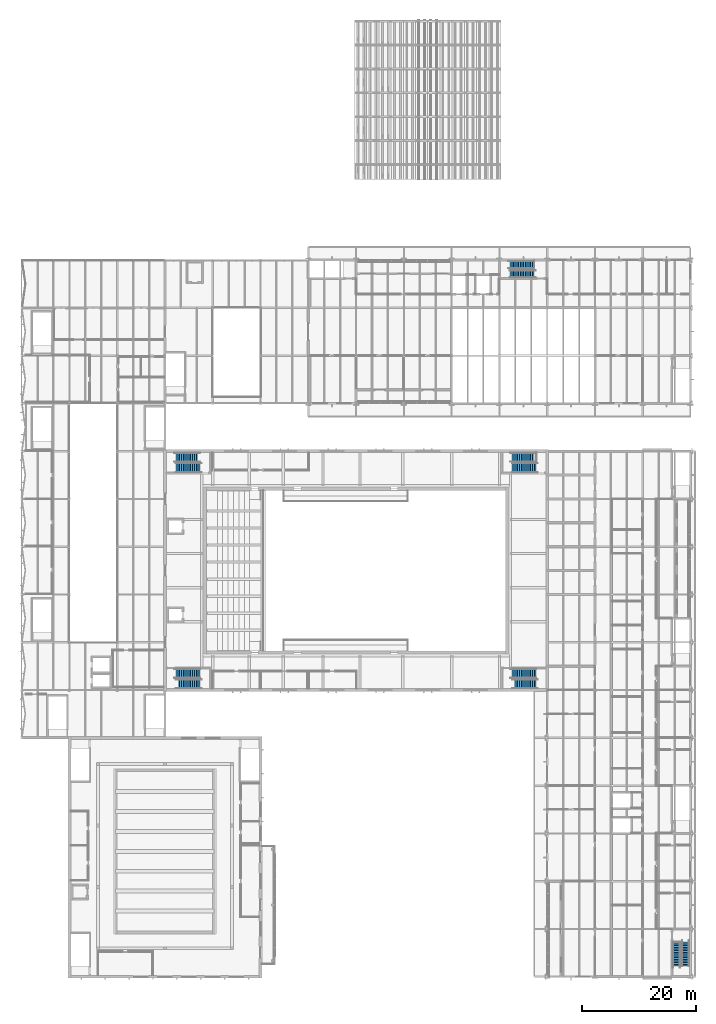
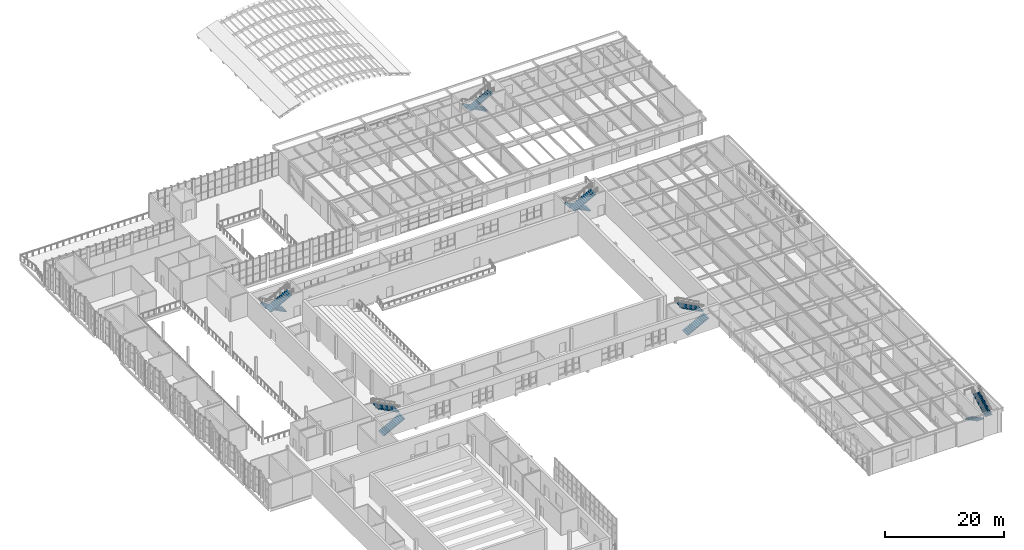
# One storey, part 82 of 116: 12 stair flights, 6 elements without a shape of their own.
"""IFC4 building model written with IfcOpenShell, lengths in metres."""

from ifc_helpers import new_model, si_unit, direction, frame, origin, place, context, subcontext, project, spatial, polyline, outline, extrude, material, type_object, element, aggregate, save


model = new_model("IFC4")

# Units and contexts
model_context = context("Model", 3, precision=1e-05, world=origin(), true_north=direction((0.0, 1.0)))
body_context = subcontext(model_context, "Body", "Model", "MODEL_VIEW")
ifc_project = project(units=[si_unit("LENGTHUNIT", "METRE"), si_unit("AREAUNIT", "SQUARE_METRE"), si_unit("VOLUMEUNIT", "CUBIC_METRE"), si_unit("PLANEANGLEUNIT", "RADIAN"), si_unit("MASSUNIT", "GRAM", prefix="KILO")], contexts=[model_context])

# Site, building, storey
site_placement = place(None, origin())
site = spatial("IfcSite", under=ifc_project, at=site_placement, CompositionType="ELEMENT")
building_placement = place(site_placement, origin())
building = spatial("IfcBuilding", under=site, at=building_placement, Name="Ljudholm Concert House", CompositionType="ELEMENT")
storey_placement = place(building_placement, frame((0.0, 0.0, 10.199951171875)))
storey = spatial("IfcBuildingStorey", under=building, at=storey_placement, Name="L02", CompositionType="ELEMENT", Elevation=10.199951171875)

# Stair, stair flights
ifc_material_1 = material(Name="Concrete 5,000 psi", Category="concrete")
stair_type_1 = type_object("IfcStairType", Name="RC STAIR 1350x160x300", PredefinedType="HALF_TURN_STAIR", material=ifc_material_1)
stair_1_placement = place(storey_placement, origin())
stair_1 = element("IfcStair", 1, at=stair_1_placement, inside=storey, type_object=stair_type_1, Name="Stair SB1", PredefinedType="HALF_TURN_STAIR")
ifc_material_2 = material(Name="Concrete 5,000 psi", Category="concrete")
stair_flight_type_1 = type_object("IfcStairFlightType", Name="RC STAIR FLIGHT 1350x160x300", PredefinedType="STRAIGHT", material=ifc_material_2)
stair_flight_1_placement = place(storey_placement, frame((119.125, 10.074951171875, 0.0), z_axis=(0.0, 0.0, 1.0), x_axis=(0.0, -1.0, 0.0)))
stair_flight_1 = element("IfcStairFlight", 2, at=stair_flight_1_placement, type_object=stair_flight_type_1, Name="ST-W02-001 flight 1", NumberOfRisers=15, NumberOfTreads=14, PredefinedType="STRAIGHT", RiserHeight=0.16, TreadLength=0.3, context=body_context, shape_type="SweptSolid", body=[
    extrude(outline(polyline([(0.0, 0.0), (0.0, 0.159912109375), (0.300048828125, 0.159912109375), (0.300048828125, 0.320068359375), (0.60009765625, 0.320068359375), (0.60009765625, 0.47998046875), (0.89990234375, 0.47998046875), (0.89990234375, 0.639892578125), (1.199951171875, 0.639892578125), (1.199951171875, 0.800048828125), (1.5, 0.800048828125), (1.5, 0.9599609375), (1.800048828125, 0.9599609375), (1.800048828125, 1.1201171875), (2.10009765625, 1.1201171875), (2.10009765625, 1.280029296875), (2.39990234375, 1.280029296875), (2.39990234375, 1.43994140625), (2.699951171875, 1.43994140625), (2.699951171875, 1.60009765625), (3.0, 1.60009765625), (3.0, 1.760009765625), (3.300048828125, 1.760009765625), (3.300048828125, 1.919921875), (3.60009765625, 1.919921875), (3.60009765625, 2.080078125), (3.89990234375, 2.080078125), (3.89990234375, 2.239990234375), (4.199951171875, 2.239990234375), (4.199951171875, 2.39990234375), (4.199951171875, 2.070068359375), (0.318603515625, 0.0), (0.0, 0.0)])), frame((0.0, 0.675048828125, 0.0), z_axis=(0.0, -1.0, 0.0), x_axis=(1.0, 0.0, 0.0)), (0.0, 0.0, 1.0), 1.35009765625),
])
stair_flight_2_placement = place(storey_placement, frame((120.72509765625, 5.875, 2.400146484375), z_axis=(0.0, 0.0, 1.0), x_axis=(0.0, 1.0, 0.0)))
stair_flight_2 = element("IfcStairFlight", 3, at=stair_flight_2_placement, type_object=stair_flight_type_1, Name="ST-W02-001 flight 2", NumberOfRisers=15, NumberOfTreads=14, PredefinedType="STRAIGHT", RiserHeight=0.16, TreadLength=0.3, context=body_context, shape_type="SweptSolid", body=[
    extrude(outline(polyline([(0.0, 0.0), (0.0, 0.159912109375), (0.300048828125, 0.159912109375), (0.300048828125, 0.320068359375), (0.60009765625, 0.320068359375), (0.60009765625, 0.47998046875), (0.89990234375, 0.47998046875), (0.89990234375, 0.639892578125), (1.199951171875, 0.639892578125), (1.199951171875, 0.800048828125), (1.5, 0.800048828125), (1.5, 0.9599609375), (1.800048828125, 0.9599609375), (1.800048828125, 1.1201171875), (2.10009765625, 1.1201171875), (2.10009765625, 1.280029296875), (2.39990234375, 1.280029296875), (2.39990234375, 1.43994140625), (2.699951171875, 1.43994140625), (2.699951171875, 1.60009765625), (3.0, 1.60009765625), (3.0, 1.760009765625), (3.300048828125, 1.760009765625), (3.300048828125, 1.919921875), (3.60009765625, 1.919921875), (3.60009765625, 2.080078125), (3.89990234375, 2.080078125), (3.89990234375, 2.239990234375), (4.199951171875, 2.239990234375), (4.199951171875, 2.39990234375), (4.199951171875, 2.070068359375), (0.318603515625, 0.0), (0.0, 0.0)])), frame((0.0, 0.675048828125, 0.0), z_axis=(0.0, -1.0, 0.0), x_axis=(1.0, 0.0, 0.0)), (0.0, 0.0, 1.0), 1.35009765625),
])
aggregate(stair_1, [stair_flight_1, stair_flight_2])

stair_2_placement = place(storey_placement, origin())
stair_2 = element("IfcStair", 4, at=stair_2_placement, inside=storey, type_object=stair_type_1, Name="Stair R2", PredefinedType="HALF_TURN_STAIR")
stair_flight_3_placement = place(storey_placement, frame((94.074951171875, 129.175048828125, 0.0), z_axis=(0.0, 0.0, 1.0), x_axis=(-1.0, 0.0, 0.0)))
stair_flight_3 = element("IfcStairFlight", 5, at=stair_flight_3_placement, type_object=stair_flight_type_1, Name="ST-R02-001 flight 1", NumberOfRisers=15, NumberOfTreads=14, PredefinedType="STRAIGHT", RiserHeight=0.16, TreadLength=0.3, context=body_context, shape_type="SweptSolid", body=[
    extrude(outline(polyline([(0.0, 0.0), (0.0, 0.159912109375), (0.300048828125, 0.159912109375), (0.300048828125, 0.320068359375), (0.60009765625, 0.320068359375), (0.60009765625, 0.47998046875), (0.89990234375, 0.47998046875), (0.89990234375, 0.639892578125), (1.199951171875, 0.639892578125), (1.199951171875, 0.800048828125), (1.5, 0.800048828125), (1.5, 0.9599609375), (1.800048828125, 0.9599609375), (1.800048828125, 1.1201171875), (2.10009765625, 1.1201171875), (2.10009765625, 1.280029296875), (2.39990234375, 1.280029296875), (2.39990234375, 1.43994140625), (2.699951171875, 1.43994140625), (2.699951171875, 1.60009765625), (3.0, 1.60009765625), (3.0, 1.760009765625), (3.300048828125, 1.760009765625), (3.300048828125, 1.919921875), (3.60009765625, 1.919921875), (3.60009765625, 2.080078125), (3.89990234375, 2.080078125), (3.89990234375, 2.239990234375), (4.199951171875, 2.239990234375), (4.199951171875, 2.39990234375), (4.199951171875, 2.070068359375), (0.318603515625, 0.0), (0.0, 0.0)])), frame((0.0, 0.675048828125, 0.0), z_axis=(0.0, -1.0, 0.0), x_axis=(1.0, 0.0, 0.0)), (0.0, 0.0, 1.0), 1.35009765625),
])
stair_flight_4_placement = place(storey_placement, frame((89.875, 127.574951171875, 2.400146484375), z_axis=(0.0, 0.0, 1.0), x_axis=(1.0, 0.0, 0.0)))
stair_flight_4 = element("IfcStairFlight", 6, at=stair_flight_4_placement, type_object=stair_flight_type_1, Name="ST-R02-001 flight 2", NumberOfRisers=15, NumberOfTreads=14, PredefinedType="STRAIGHT", RiserHeight=0.16, TreadLength=0.3, context=body_context, shape_type="SweptSolid", body=[
    extrude(outline(polyline([(0.0, 0.0), (0.0, 0.159912109375), (0.300048828125, 0.159912109375), (0.300048828125, 0.320068359375), (0.60009765625, 0.320068359375), (0.60009765625, 0.47998046875), (0.89990234375, 0.47998046875), (0.89990234375, 0.639892578125), (1.199951171875, 0.639892578125), (1.199951171875, 0.800048828125), (1.5, 0.800048828125), (1.5, 0.9599609375), (1.800048828125, 0.9599609375), (1.800048828125, 1.1201171875), (2.10009765625, 1.1201171875), (2.10009765625, 1.280029296875), (2.39990234375, 1.280029296875), (2.39990234375, 1.43994140625), (2.699951171875, 1.43994140625), (2.699951171875, 1.60009765625), (3.0, 1.60009765625), (3.0, 1.760009765625), (3.300048828125, 1.760009765625), (3.300048828125, 1.919921875), (3.60009765625, 1.919921875), (3.60009765625, 2.080078125), (3.89990234375, 2.080078125), (3.89990234375, 2.239990234375), (4.199951171875, 2.239990234375), (4.199951171875, 2.39990234375), (4.199951171875, 2.070068359375), (0.318603515625, 0.0), (0.0, 0.0)])), frame((0.0, 0.675048828125, 0.0), z_axis=(0.0, -1.0, 0.0), x_axis=(1.0, 0.0, 0.0)), (0.0, 0.0, 1.0), 1.35009765625),
])
aggregate(stair_2, [stair_flight_3, stair_flight_4])

ifc_material_3 = material(Name="Concrete 5,000 psi", Category="concrete")
stair_type_2 = type_object("IfcStairType", Name="RC STAIR 1700x171x323", PredefinedType="HALF_TURN_STAIR", material=ifc_material_3)
stair_3_placement = place(storey_placement, origin())
stair_3 = element("IfcStair", 7, at=stair_3_placement, inside=storey, type_object=stair_type_2, Name="Exit stair EH1", PredefinedType="HALF_TURN_STAIR")
ifc_material_4 = material(Name="Concrete 5,000 psi", Category="concrete")
stair_flight_type_2 = type_object("IfcStairFlightType", Name="RC STAIR FLIGHT 1700x171x323", PredefinedType="STRAIGHT", material=ifc_material_4)
stair_flight_5_placement = place(storey_placement, frame((31.14990234375, 55.5, 0.0), z_axis=(0.0, 0.0, 1.0), x_axis=(1.0, 0.0, 0.0)))
stair_flight_5 = element("IfcStairFlight", 8, at=stair_flight_5_placement, type_object=stair_flight_type_2, Name="ST-H02-001 flight 1", NumberOfRisers=14, NumberOfTreads=13, PredefinedType="STRAIGHT", RiserHeight=0.171428571, TreadLength=0.323076923, context=body_context, shape_type="SweptSolid", body=[
    extrude(outline(polyline([(0.0, 0.0), (0.0, 0.17138671875), (0.322998046875, 0.17138671875), (0.322998046875, 0.3427734375), (0.646240234375, 0.3427734375), (0.646240234375, 0.514404296875), (0.96923828125, 0.514404296875), (0.96923828125, 0.685791015625), (1.292236328125, 0.685791015625), (1.292236328125, 0.857177734375), (1.615478515625, 0.857177734375), (1.615478515625, 1.028564453125), (1.9384765625, 1.028564453125), (1.9384765625, 1.199951171875), (2.261474609375, 1.199951171875), (2.261474609375, 1.371337890625), (2.584716796875, 1.371337890625), (2.584716796875, 1.54296875), (2.90771484375, 1.54296875), (2.90771484375, 1.71435546875), (3.230712890625, 1.71435546875), (3.230712890625, 1.8857421875), (3.553955078125, 1.8857421875), (3.553955078125, 2.05712890625), (3.876953125, 2.05712890625), (3.876953125, 2.228515625), (4.199951171875, 2.228515625), (4.199951171875, 2.39990234375), (4.199951171875, 2.058837890625), (0.31982421875, 0.0), (0.0, 0.0)])), frame((0.0, 0.85009765625, 0.0), z_axis=(0.0, -1.0, 0.0), x_axis=(1.0, 0.0, 0.0)), (0.0, 0.0, 1.0), 1.699951171875),
])
stair_flight_6_placement = place(storey_placement, frame((35.35009765625, 57.300048828125, 2.400146484375), z_axis=(0.0, 0.0, 1.0), x_axis=(-1.0, 0.0, 0.0)))
stair_flight_6 = element("IfcStairFlight", 9, at=stair_flight_6_placement, type_object=stair_flight_type_2, Name="ST-H02-001 flight 2", NumberOfRisers=14, NumberOfTreads=13, PredefinedType="STRAIGHT", RiserHeight=0.171428571, TreadLength=0.323076923, context=body_context, shape_type="SweptSolid", body=[
    extrude(outline(polyline([(0.0, 0.0), (0.0, 0.17138671875), (0.322998046875, 0.17138671875), (0.322998046875, 0.3427734375), (0.646240234375, 0.3427734375), (0.646240234375, 0.514404296875), (0.96923828125, 0.514404296875), (0.96923828125, 0.685791015625), (1.292236328125, 0.685791015625), (1.292236328125, 0.857177734375), (1.615478515625, 0.857177734375), (1.615478515625, 1.028564453125), (1.9384765625, 1.028564453125), (1.9384765625, 1.199951171875), (2.261474609375, 1.199951171875), (2.261474609375, 1.371337890625), (2.584716796875, 1.371337890625), (2.584716796875, 1.54296875), (2.90771484375, 1.54296875), (2.90771484375, 1.71435546875), (3.230712890625, 1.71435546875), (3.230712890625, 1.8857421875), (3.553955078125, 1.8857421875), (3.553955078125, 2.05712890625), (3.876953125, 2.05712890625), (3.876953125, 2.228515625), (4.199951171875, 2.228515625), (4.199951171875, 2.39990234375), (4.199951171875, 2.058837890625), (0.31982421875, 0.0), (0.0, 0.0)])), frame((0.0, 0.85009765625, 0.0), z_axis=(0.0, -1.0, 0.0), x_axis=(1.0, 0.0, 0.0)), (0.0, 0.0, 1.0), 1.699951171875),
])
aggregate(stair_3, [stair_flight_5, stair_flight_6])

stair_4_placement = place(storey_placement, origin())
stair_4 = element("IfcStair", 10, at=stair_4_placement, inside=storey, type_object=stair_type_2, Name="Exit stair EH2", PredefinedType="HALF_TURN_STAIR")
stair_flight_7_placement = place(storey_placement, frame((35.35009765625, 95.300048828125, 0.0), z_axis=(0.0, 0.0, 1.0), x_axis=(-1.0, 0.0, 0.0)))
stair_flight_7 = element("IfcStairFlight", 11, at=stair_flight_7_placement, type_object=stair_flight_type_2, Name="ST-H02-002 flight 1", NumberOfRisers=14, NumberOfTreads=13, PredefinedType="STRAIGHT", RiserHeight=0.171428571, TreadLength=0.323076923, context=body_context, shape_type="SweptSolid", body=[
    extrude(outline(polyline([(0.0, 0.0), (0.0, 0.17138671875), (0.322998046875, 0.17138671875), (0.322998046875, 0.3427734375), (0.646240234375, 0.3427734375), (0.646240234375, 0.514404296875), (0.96923828125, 0.514404296875), (0.96923828125, 0.685791015625), (1.292236328125, 0.685791015625), (1.292236328125, 0.857177734375), (1.615478515625, 0.857177734375), (1.615478515625, 1.028564453125), (1.9384765625, 1.028564453125), (1.9384765625, 1.199951171875), (2.261474609375, 1.199951171875), (2.261474609375, 1.371337890625), (2.584716796875, 1.371337890625), (2.584716796875, 1.54296875), (2.90771484375, 1.54296875), (2.90771484375, 1.71435546875), (3.230712890625, 1.71435546875), (3.230712890625, 1.8857421875), (3.553955078125, 1.8857421875), (3.553955078125, 2.05712890625), (3.876953125, 2.05712890625), (3.876953125, 2.228515625), (4.199951171875, 2.228515625), (4.199951171875, 2.39990234375), (4.199951171875, 2.058837890625), (0.31982421875, 0.0), (0.0, 0.0)])), frame((0.0, 0.85009765625, 0.0), z_axis=(0.0, -1.0, 0.0), x_axis=(1.0, 0.0, 0.0)), (0.0, 0.0, 1.0), 1.699951171875),
])
stair_flight_8_placement = place(storey_placement, frame((31.14990234375, 93.5, 2.400146484375), z_axis=(0.0, 0.0, 1.0), x_axis=(1.0, 0.0, 0.0)))
stair_flight_8 = element("IfcStairFlight", 12, at=stair_flight_8_placement, type_object=stair_flight_type_2, Name="ST-H02-002 flight 2", NumberOfRisers=14, NumberOfTreads=13, PredefinedType="STRAIGHT", RiserHeight=0.171428571, TreadLength=0.323076923, context=body_context, shape_type="SweptSolid", body=[
    extrude(outline(polyline([(0.0, 0.0), (0.0, 0.17138671875), (0.322998046875, 0.17138671875), (0.322998046875, 0.3427734375), (0.646240234375, 0.3427734375), (0.646240234375, 0.514404296875), (0.96923828125, 0.514404296875), (0.96923828125, 0.685791015625), (1.292236328125, 0.685791015625), (1.292236328125, 0.857177734375), (1.615478515625, 0.857177734375), (1.615478515625, 1.028564453125), (1.9384765625, 1.028564453125), (1.9384765625, 1.199951171875), (2.261474609375, 1.199951171875), (2.261474609375, 1.371337890625), (2.584716796875, 1.371337890625), (2.584716796875, 1.54296875), (2.90771484375, 1.54296875), (2.90771484375, 1.71435546875), (3.230712890625, 1.71435546875), (3.230712890625, 1.8857421875), (3.553955078125, 1.8857421875), (3.553955078125, 2.05712890625), (3.876953125, 2.05712890625), (3.876953125, 2.228515625), (4.199951171875, 2.228515625), (4.199951171875, 2.39990234375), (4.199951171875, 2.058837890625), (0.31982421875, 0.0), (0.0, 0.0)])), frame((0.0, 0.85009765625, 0.0), z_axis=(0.0, -1.0, 0.0), x_axis=(1.0, 0.0, 0.0)), (0.0, 0.0, 1.0), 1.699951171875),
])
aggregate(stair_4, [stair_flight_7, stair_flight_8])

stair_5_placement = place(storey_placement, origin())
stair_5 = element("IfcStair", 13, at=stair_5_placement, inside=storey, type_object=stair_type_2, Name="Exit stair EH3", PredefinedType="HALF_TURN_STAIR")
stair_flight_9_placement = place(storey_placement, frame((90.25, 55.5, 0.0), z_axis=(0.0, 0.0, 1.0), x_axis=(1.0, 0.0, 0.0)))
stair_flight_9 = element("IfcStairFlight", 14, at=stair_flight_9_placement, type_object=stair_flight_type_2, Name="ST-H02-003 flight 1", NumberOfRisers=14, NumberOfTreads=13, PredefinedType="STRAIGHT", RiserHeight=0.171428571, TreadLength=0.323076923, context=body_context, shape_type="SweptSolid", body=[
    extrude(outline(polyline([(0.0, 0.0), (0.0, 0.17138671875), (0.322998046875, 0.17138671875), (0.322998046875, 0.3427734375), (0.646240234375, 0.3427734375), (0.646240234375, 0.514404296875), (0.96923828125, 0.514404296875), (0.96923828125, 0.685791015625), (1.292236328125, 0.685791015625), (1.292236328125, 0.857177734375), (1.615478515625, 0.857177734375), (1.615478515625, 1.028564453125), (1.9384765625, 1.028564453125), (1.9384765625, 1.199951171875), (2.261474609375, 1.199951171875), (2.261474609375, 1.371337890625), (2.584716796875, 1.371337890625), (2.584716796875, 1.54296875), (2.90771484375, 1.54296875), (2.90771484375, 1.71435546875), (3.230712890625, 1.71435546875), (3.230712890625, 1.8857421875), (3.553955078125, 1.8857421875), (3.553955078125, 2.05712890625), (3.876953125, 2.05712890625), (3.876953125, 2.228515625), (4.199951171875, 2.228515625), (4.199951171875, 2.39990234375), (4.199951171875, 2.058837890625), (0.31982421875, 0.0), (0.0, 0.0)])), frame((0.0, 0.85009765625, 0.0), z_axis=(0.0, -1.0, 0.0), x_axis=(1.0, 0.0, 0.0)), (0.0, 0.0, 1.0), 1.699951171875),
])
stair_flight_10_placement = place(storey_placement, frame((94.449951171875, 57.300048828125, 2.400146484375), z_axis=(0.0, 0.0, 1.0), x_axis=(-1.0, 0.0, 0.0)))
stair_flight_10 = element("IfcStairFlight", 15, at=stair_flight_10_placement, type_object=stair_flight_type_2, Name="ST-H02-003 flight 2", NumberOfRisers=14, NumberOfTreads=13, PredefinedType="STRAIGHT", RiserHeight=0.171428571, TreadLength=0.323076923, context=body_context, shape_type="SweptSolid", body=[
    extrude(outline(polyline([(0.0, 0.0), (0.0, 0.17138671875), (0.322998046875, 0.17138671875), (0.322998046875, 0.3427734375), (0.646240234375, 0.3427734375), (0.646240234375, 0.514404296875), (0.96923828125, 0.514404296875), (0.96923828125, 0.685791015625), (1.292236328125, 0.685791015625), (1.292236328125, 0.857177734375), (1.615478515625, 0.857177734375), (1.615478515625, 1.028564453125), (1.9384765625, 1.028564453125), (1.9384765625, 1.199951171875), (2.261474609375, 1.199951171875), (2.261474609375, 1.371337890625), (2.584716796875, 1.371337890625), (2.584716796875, 1.54296875), (2.90771484375, 1.54296875), (2.90771484375, 1.71435546875), (3.230712890625, 1.71435546875), (3.230712890625, 1.8857421875), (3.553955078125, 1.8857421875), (3.553955078125, 2.05712890625), (3.876953125, 2.05712890625), (3.876953125, 2.228515625), (4.199951171875, 2.228515625), (4.199951171875, 2.39990234375), (4.199951171875, 2.058837890625), (0.31982421875, 0.0), (0.0, 0.0)])), frame((0.0, 0.85009765625, 0.0), z_axis=(0.0, -1.0, 0.0), x_axis=(1.0, 0.0, 0.0)), (0.0, 0.0, 1.0), 1.699951171875),
])
aggregate(stair_5, [stair_flight_9, stair_flight_10])

stair_6_placement = place(storey_placement, origin())
stair_6 = element("IfcStair", 16, at=stair_6_placement, inside=storey, type_object=stair_type_2, Name="Exit stair EH4", PredefinedType="HALF_TURN_STAIR")
stair_flight_11_placement = place(storey_placement, frame((94.449951171875, 95.300048828125, 0.0), z_axis=(0.0, 0.0, 1.0), x_axis=(-1.0, 0.0, 0.0)))
stair_flight_11 = element("IfcStairFlight", 17, at=stair_flight_11_placement, type_object=stair_flight_type_2, Name="ST-H02-004 flight 1", NumberOfRisers=14, NumberOfTreads=13, PredefinedType="STRAIGHT", RiserHeight=0.171428571, TreadLength=0.323076923, context=body_context, shape_type="SweptSolid", body=[
    extrude(outline(polyline([(0.0, 0.0), (0.0, 0.17138671875), (0.322998046875, 0.17138671875), (0.322998046875, 0.3427734375), (0.646240234375, 0.3427734375), (0.646240234375, 0.514404296875), (0.96923828125, 0.514404296875), (0.96923828125, 0.685791015625), (1.292236328125, 0.685791015625), (1.292236328125, 0.857177734375), (1.615478515625, 0.857177734375), (1.615478515625, 1.028564453125), (1.9384765625, 1.028564453125), (1.9384765625, 1.199951171875), (2.261474609375, 1.199951171875), (2.261474609375, 1.371337890625), (2.584716796875, 1.371337890625), (2.584716796875, 1.54296875), (2.90771484375, 1.54296875), (2.90771484375, 1.71435546875), (3.230712890625, 1.71435546875), (3.230712890625, 1.8857421875), (3.553955078125, 1.8857421875), (3.553955078125, 2.05712890625), (3.876953125, 2.05712890625), (3.876953125, 2.228515625), (4.199951171875, 2.228515625), (4.199951171875, 2.39990234375), (4.199951171875, 2.058837890625), (0.31982421875, 0.0), (0.0, 0.0)])), frame((0.0, 0.85009765625, 0.0), z_axis=(0.0, -1.0, 0.0), x_axis=(1.0, 0.0, 0.0)), (0.0, 0.0, 1.0), 1.699951171875),
])
stair_flight_12_placement = place(storey_placement, frame((90.25, 93.5, 2.400146484375), z_axis=(0.0, 0.0, 1.0), x_axis=(1.0, 0.0, 0.0)))
stair_flight_12 = element("IfcStairFlight", 18, at=stair_flight_12_placement, type_object=stair_flight_type_2, Name="ST-H02-004 flight 2", NumberOfRisers=14, NumberOfTreads=13, PredefinedType="STRAIGHT", RiserHeight=0.171428571, TreadLength=0.323076923, context=body_context, shape_type="SweptSolid", body=[
    extrude(outline(polyline([(0.0, 0.0), (0.0, 0.17138671875), (0.322998046875, 0.17138671875), (0.322998046875, 0.3427734375), (0.646240234375, 0.3427734375), (0.646240234375, 0.514404296875), (0.96923828125, 0.514404296875), (0.96923828125, 0.685791015625), (1.292236328125, 0.685791015625), (1.292236328125, 0.857177734375), (1.615478515625, 0.857177734375), (1.615478515625, 1.028564453125), (1.9384765625, 1.028564453125), (1.9384765625, 1.199951171875), (2.261474609375, 1.199951171875), (2.261474609375, 1.371337890625), (2.584716796875, 1.371337890625), (2.584716796875, 1.54296875), (2.90771484375, 1.54296875), (2.90771484375, 1.71435546875), (3.230712890625, 1.71435546875), (3.230712890625, 1.8857421875), (3.553955078125, 1.8857421875), (3.553955078125, 2.05712890625), (3.876953125, 2.05712890625), (3.876953125, 2.228515625), (4.199951171875, 2.228515625), (4.199951171875, 2.39990234375), (4.199951171875, 2.058837890625), (0.31982421875, 0.0), (0.0, 0.0)])), frame((0.0, 0.85009765625, 0.0), z_axis=(0.0, -1.0, 0.0), x_axis=(1.0, 0.0, 0.0)), (0.0, 0.0, 1.0), 1.699951171875),
])
aggregate(stair_6, [stair_flight_11, stair_flight_12])

save(model, "model.ifc")
